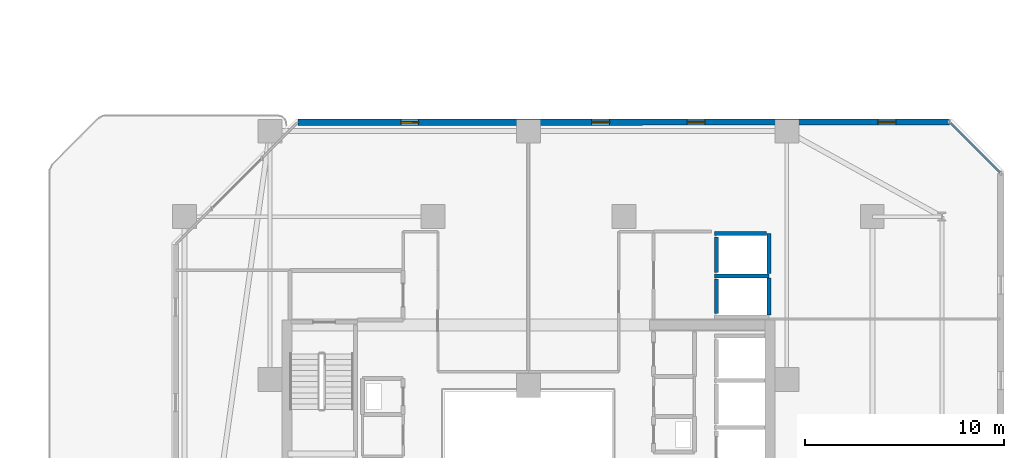
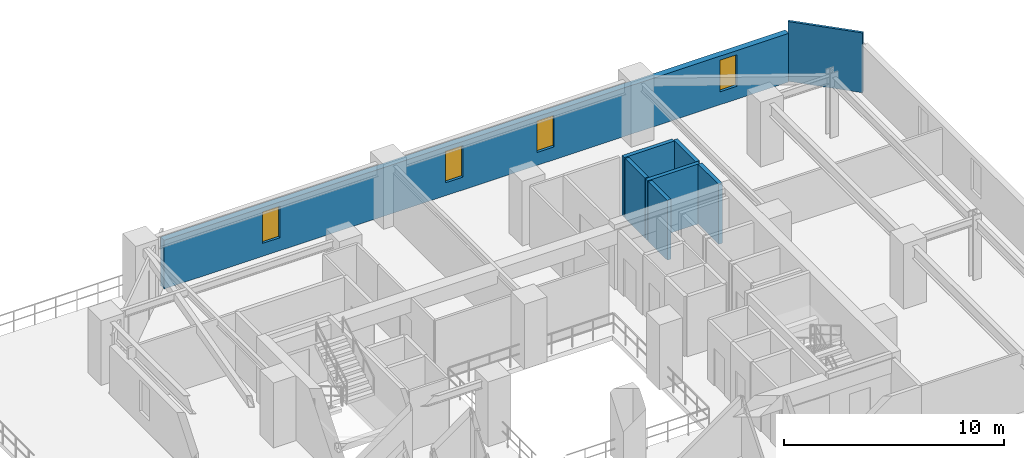
# One storey, part 25 of 31: 8 walls, 4 windows, 4 openings.
"""IFC4 building model written with IfcOpenShell, lengths in metres."""

from ifc_helpers import new_model, si_unit, direction, frame, frame_2d, origin, place, context, subcontext, project, spatial, rectangle, extrude, material, layer, layer_set, type_object, element, fill, save


model = new_model("IFC4")

# Units and contexts
model_context = context("Model", 3, precision=1e-05, world=origin(), true_north=direction((0.0, 1.0)))
body_context = subcontext(model_context, "Body", "Model", "MODEL_VIEW")
ifc_project = project(units=[si_unit("LENGTHUNIT", "METRE"), si_unit("AREAUNIT", "SQUARE_METRE"), si_unit("VOLUMEUNIT", "CUBIC_METRE"), si_unit("PLANEANGLEUNIT", "RADIAN"), si_unit("MASSUNIT", "GRAM", prefix="KILO")], contexts=[model_context])

# Site, building, storey
site_placement = place(None, origin())
site = spatial("IfcSite", under=ifc_project, at=site_placement, CompositionType="ELEMENT")
building_placement = place(site_placement, origin())
building = spatial("IfcBuilding", under=site, at=building_placement, Name="Thornwick Lancets Civic Towers", CompositionType="ELEMENT")
storey_placement = place(building_placement, frame((0.0, 0.0, 119.699951171875)))
storey = spatial("IfcBuildingStorey", under=building, at=storey_placement, Name="L31", CompositionType="ELEMENT", Elevation=119.699951171875)

# Walls
ifc_material_1 = material(Name="Concrete blockwork C40/50", Category="masonry")
ifc_layer_1 = layer(ifc_material_1, 0.199951171875, Name="Concrete blockwork C40/50")
ifc_layer_set_1 = layer_set([ifc_layer_1], Name="Concrete blockwork C40/50")
wall_type_1 = type_object("IfcWallType", Name="WALL_COMP_200", PredefinedType="STANDARD", material=ifc_layer_set_1)
wall_1_placement = place(storey_placement, frame((97.949951171875, 36.8701171875, 0.0), z_axis=(0.0, 0.0, 1.0), x_axis=(0.0, -1.0, 0.0)))
element("IfcWall", 1, at=wall_1_placement, inside=storey, type_object=wall_type_1, Name="L31 Hoistway Front Wall PL-BL2", PredefinedType="STANDARD", context=body_context, shape_type="SweptSolid", body=[
    extrude(rectangle(XDim=1.740234375, YDim=0.199951171875, at=frame_2d((0.8701171875, 0.0))), origin(), (0.0, 0.0, 1.0), 3.320068359375),
])
wall_2_placement = place(storey_placement, frame((97.949951171875, 38.969970703125, 0.0), z_axis=(0.0, 0.0, 1.0), x_axis=(0.0, -1.0, 0.0)))
element("IfcWall", 2, at=wall_2_placement, inside=storey, type_object=wall_type_1, Name="L31 Hoistway Front Wall PL-BL3", PredefinedType="STANDARD", context=body_context, shape_type="SweptSolid", body=[
    extrude(rectangle(XDim=1.7900390625, YDim=0.199951171875, at=frame_2d((0.89501953125, 0.0))), origin(), (0.0, 0.0, 1.0), 3.320068359375),
])
wall_3_placement = place(storey_placement, frame((97.85205078125, 37.02490234375, 0.0), z_axis=(0.0, 0.0, 1.0), x_axis=(1.0, 0.0, 0.0)))
element("IfcWall", 3, at=wall_3_placement, inside=storey, type_object=wall_type_1, Name="L31 Hoistway Shaft Wall PL-BL2 N", PredefinedType="STANDARD", context=body_context, shape_type="SweptSolid", body=[
    extrude(rectangle(XDim=2.745849609375, YDim=0.199951171875, at=frame_2d((1.373046875, 0.0))), origin(), (0.0, 0.0, 1.0), 3.320068359375),
])
wall_4_placement = place(storey_placement, frame((100.60009765625, 35.06201171875, 0.0), z_axis=(0.0, 0.0, 1.0), x_axis=(0.0, 1.0, 0.0)))
element("IfcWall", 4, at=wall_4_placement, inside=storey, type_object=wall_type_1, Name="L31 Hoistway Shaft Wall PL-BL2 E", PredefinedType="STANDARD", context=body_context, shape_type="SweptSolid", body=[
    extrude(rectangle(XDim=1.85595703125, YDim=0.199951171875, at=frame_2d((0.927978515625, 0.0))), origin(), (0.0, 0.0, 1.0), 3.320068359375),
])
wall_5_placement = place(storey_placement, frame((100.60009765625, 37.132080078125, 0.0), z_axis=(0.0, 0.0, 1.0), x_axis=(0.0, 1.0, 0.0)))
element("IfcWall", 5, at=wall_5_placement, inside=storey, type_object=wall_type_1, Name="L31 Hoistway Shaft Wall PL-BL2 E", PredefinedType="STANDARD", context=body_context, shape_type="SweptSolid", body=[
    extrude(rectangle(XDim=2.015869140625, YDim=0.199951171875, at=frame_2d((1.0078125, 0.0))), origin(), (0.0, 0.0, 1.0), 3.320068359375),
])
wall_6_placement = place(storey_placement, frame((97.85205078125, 39.14990234375, 0.0), z_axis=(0.0, 0.0, 1.0), x_axis=(1.0, 0.0, 0.0)))
element("IfcWall", 6, at=wall_6_placement, inside=storey, type_object=wall_type_1, Name="L31 Hoistway Shaft Wall PL-BL3 N", PredefinedType="STANDARD", context=body_context, shape_type="SweptSolid", body=[
    extrude(rectangle(XDim=2.635986328125, YDim=0.199951171875, at=frame_2d((1.31787109375, 0.0))), origin(), (0.0, 0.0, 1.0), 3.320068359375),
])

# Wall, openings, windows
ifc_material_2 = material(Name="Insulated buff terracotta rainscreen on concrete C40/50", Category="masonry")
ifc_layer_2 = layer(ifc_material_2, 0.320068359375, Name="Insulated buff terracotta rainscreen on concrete C40/50")
ifc_layer_set_2 = layer_set([ifc_layer_2], Name="Insulated buff terracotta rainscreen on concrete C40/50")
wall_type_2 = type_object("IfcWallType", Name="WALL_EXT_TERRA_320", PredefinedType="STANDARD", material=ifc_layer_set_2)
wall_7_placement = place(storey_placement, frame((109.681396484375, 44.7646484375, 0.0), z_axis=(0.0, 0.0, 1.0), x_axis=(-0.999999933399, -0.000364968916, 0.0)))
wall_7 = element("IfcWall", 7, at=wall_7_placement, inside=storey, type_object=wall_type_2, Name="L31 Tower B Terracotta Facade Wall E4", PredefinedType="STANDARD", context=body_context, shape_type="SweptSolid", body=[
    extrude(rectangle(XDim=32.77783203125, YDim=0.320068359375, at=frame_2d((16.388916015625, 0.0))), origin(), (0.0, 0.0, 1.0), 2.699951171875),
])
opening_1_placement = place(wall_7_placement, frame((2.699951171875, 0.0, 0.719970703125)))
opening_1 = element("IfcOpeningElement", 8, at=opening_1_placement, cuts=wall_7, Name="Opening WL-01", PredefinedType="OPENING", context=body_context, shape_type="SweptSolid", body=[
    extrude(rectangle(XDim=0.89990234375, YDim=1.75, at=frame_2d((0.449951171875, 0.875))), frame((0.0, 0.169921875, 0.0), z_axis=(0.0, -1.0, 0.0), x_axis=(1.0, 0.0, 0.0)), (0.0, 0.0, 1.0), 0.340087890625),
])
opening_2_placement = place(wall_7_placement, frame((12.300048828125, 0.0, 0.719970703125)))
opening_2 = element("IfcOpeningElement", 9, at=opening_2_placement, cuts=wall_7, Name="Opening WL-01", PredefinedType="OPENING", context=body_context, shape_type="SweptSolid", body=[
    extrude(rectangle(XDim=0.89990234375, YDim=1.75, at=frame_2d((0.449951171875, 0.875))), frame((0.0, 0.169921875, 0.0), z_axis=(0.0, -1.0, 0.0), x_axis=(1.0, 0.0, 0.0)), (0.0, 0.0, 1.0), 0.340087890625),
])
opening_3_placement = place(wall_7_placement, frame((17.10009765625, 0.0, 0.719970703125)))
opening_3 = element("IfcOpeningElement", 10, at=opening_3_placement, cuts=wall_7, Name="Opening WL-01", PredefinedType="OPENING", context=body_context, shape_type="SweptSolid", body=[
    extrude(rectangle(XDim=0.89990234375, YDim=1.75, at=frame_2d((0.449951171875, 0.875))), frame((0.0, 0.169921875, 0.0), z_axis=(0.0, -1.0, 0.0), x_axis=(1.0, 0.0, 0.0)), (0.0, 0.0, 1.0), 0.340087890625),
])
opening_4_placement = place(wall_7_placement, frame((26.699951171875, 0.0, 0.719970703125)))
opening_4 = element("IfcOpeningElement", 11, at=opening_4_placement, cuts=wall_7, Name="Opening WL-01", PredefinedType="OPENING", context=body_context, shape_type="SweptSolid", body=[
    extrude(rectangle(XDim=0.89990234375, YDim=1.75, at=frame_2d((0.449951171875, 0.875))), frame((0.0, 0.169921875, 0.0), z_axis=(0.0, -1.0, 0.0), x_axis=(1.0, 0.0, 0.0)), (0.0, 0.0, 1.0), 0.340087890625),
])
ifc_material_3 = material(Name="Clear low-e double glazing in bronze frame", Category="glass")
window_type = type_object("IfcWindowType", Name="WIN_LANCET_900", PartitioningType="SINGLE_PANEL", PredefinedType="WINDOW", material=ifc_material_3)
window_1_placement = place(opening_1_placement, origin())
window_1 = element("IfcWindow", 12, at=window_1_placement, inside=storey, type_object=window_type, Name="L31 Tower B Staggered Lancet Window E4-1", OverallHeight=1.75, OverallWidth=0.89990234375, PartitioningType="SINGLE_PANEL", PredefinedType="WINDOW", context=body_context, shape_type="SweptSolid", body=[
    extrude(rectangle(XDim=0.89990234375, YDim=1.75, at=frame_2d((0.449951171875, 0.875))), frame((0.0, 0.030029296875, 0.0), z_axis=(0.0, -1.0, 0.0), x_axis=(1.0, 0.0, 0.0)), (0.0, 0.0, 1.0), 0.06005859375),
])
fill(opening_1, window_1)
window_2_placement = place(opening_2_placement, origin())
window_2 = element("IfcWindow", 13, at=window_2_placement, inside=storey, type_object=window_type, Name="L31 Tower B Staggered Lancet Window E4-2", OverallHeight=1.75, OverallWidth=0.89990234375, PartitioningType="SINGLE_PANEL", PredefinedType="WINDOW", context=body_context, shape_type="SweptSolid", body=[
    extrude(rectangle(XDim=0.89990234375, YDim=1.75, at=frame_2d((0.449951171875, 0.875))), frame((0.0, 0.030029296875, 0.0), z_axis=(0.0, -1.0, 0.0), x_axis=(1.0, 0.0, 0.0)), (0.0, 0.0, 1.0), 0.06005859375),
])
fill(opening_2, window_2)
window_3_placement = place(opening_3_placement, origin())
window_3 = element("IfcWindow", 14, at=window_3_placement, inside=storey, type_object=window_type, Name="L31 Tower B Staggered Lancet Window E4-3", OverallHeight=1.75, OverallWidth=0.89990234375, PartitioningType="SINGLE_PANEL", PredefinedType="WINDOW", context=body_context, shape_type="SweptSolid", body=[
    extrude(rectangle(XDim=0.89990234375, YDim=1.75, at=frame_2d((0.449951171875, 0.875))), frame((0.0, 0.030029296875, 0.0), z_axis=(0.0, -1.0, 0.0), x_axis=(1.0, 0.0, 0.0)), (0.0, 0.0, 1.0), 0.06005859375),
])
fill(opening_3, window_3)
window_4_placement = place(opening_4_placement, origin())
window_4 = element("IfcWindow", 15, at=window_4_placement, inside=storey, type_object=window_type, Name="L31 Tower B Staggered Lancet Window E4-4", OverallHeight=1.75, OverallWidth=0.89990234375, PartitioningType="SINGLE_PANEL", PredefinedType="WINDOW", context=body_context, shape_type="SweptSolid", body=[
    extrude(rectangle(XDim=0.89990234375, YDim=1.75, at=frame_2d((0.449951171875, 0.875))), frame((0.0, 0.030029296875, 0.0), z_axis=(0.0, -1.0, 0.0), x_axis=(1.0, 0.0, 0.0)), (0.0, 0.0, 1.0), 0.06005859375),
])
fill(opening_4, window_4)

# Wall
ifc_material_4 = material(Name="Acoustic gypsum board partition")
ifc_layer_3 = layer(ifc_material_4, 0.1201171875, Name="Acoustic gypsum board partition")
ifc_layer_set_3 = layer_set([ifc_layer_3], Name="Acoustic gypsum board partition")
wall_type_3 = type_object("IfcWallType", Name="WALL_PART_120", PredefinedType="PARTITIONING", material=ifc_layer_set_3)
wall_8_placement = place(storey_placement, frame((109.725341796875, 44.719970703125, 0.0), z_axis=(0.0, 0.0, 1.0), x_axis=(0.707106781187, -0.707106781187, 0.0)))
element("IfcWall", 16, at=wall_8_placement, inside=storey, type_object=wall_type_3, Name="L31 Partition L31-B-E1 E8", PredefinedType="PARTITIONING", context=body_context, shape_type="SweptSolid", body=[
    extrude(rectangle(XDim=3.52783203125, YDim=0.1201171875, at=frame_2d((1.763916015625, 0.0))), origin(), (0.0, 0.0, 1.0), 3.320068359375),
])

save(model, "model.ifc")
